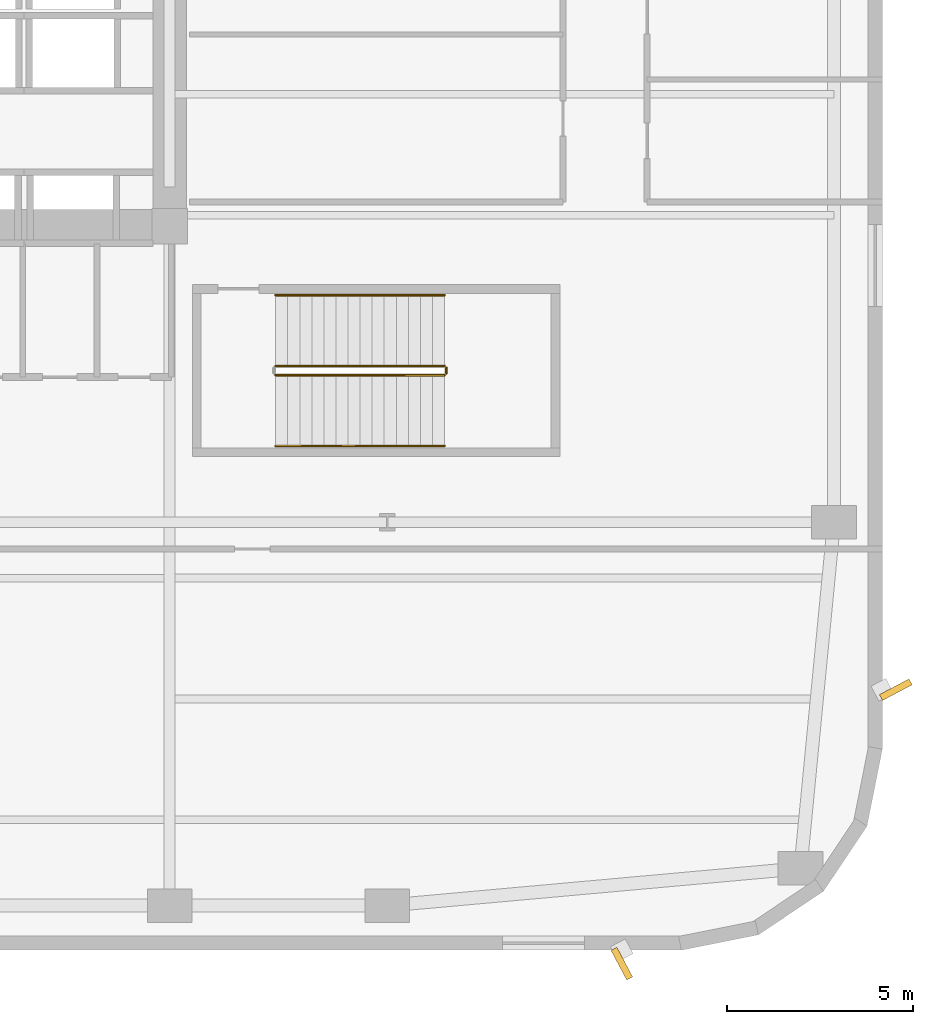
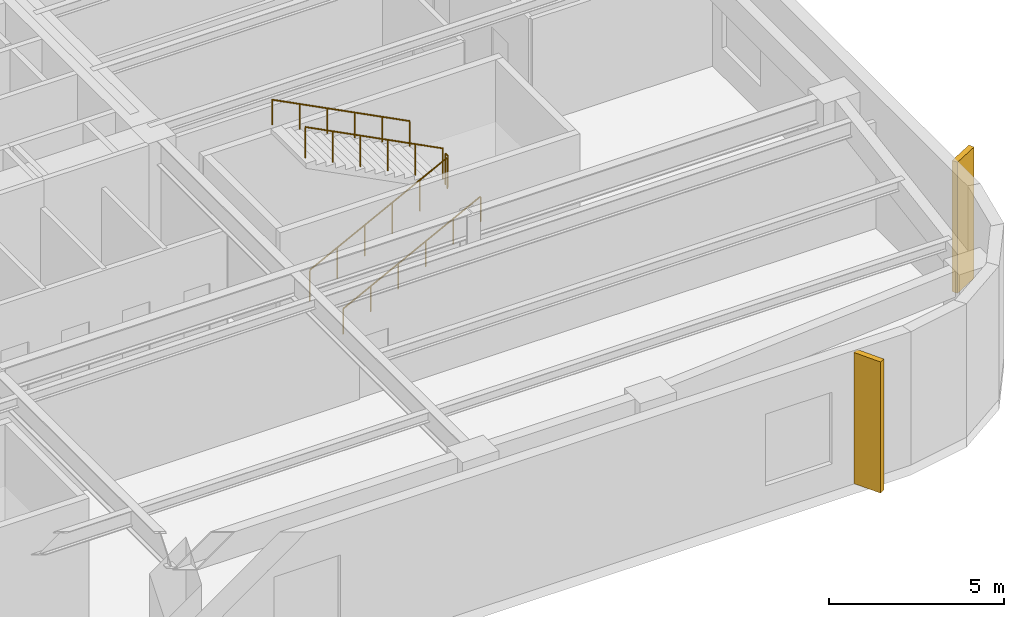
# One storey, part 20 of 21: 5 railings, 2 shading devices.
"""IFC4 building model written with IfcOpenShell, lengths in metres."""

import ifcopenshell
import ifcopenshell.guid

model = None  # the IFC model being written
_history = None  # IfcOwnerHistory: only IFC2X3 demands one
_inside = {}  # id of a spatial element -> (the spatial element, [elements in it])
_under = {}  # id of a project, library or spatial element -> (it, [spatial elements below it])
_declared = {}  # id of a project -> (the project, [libraries it declares])
_typed = {}  # id of a type object -> (the type object, [elements of that type])
_made_of = {}  # id of a material, layer set ... -> (it, [elements and type objects made of it])


def new_model(schema):
    """Start an empty IFC model of exactly this schema.

    Asked for "IFC4X3", IfcOpenShell would pick the latest addendum, in which some entities
    have other attributes; the version numbers below select the first issue.
    IFC2X3 requires an IfcOwnerHistory on every rooted entity: one is made here for all.
    """
    global model, _history
    if schema == "IFC4X3":
        model = ifcopenshell.file(schema_version=(4, 3, 0, 0))
    else:
        model = ifcopenshell.file(schema=schema)
    _inside.clear()
    _under.clear()
    _declared.clear()
    _typed.clear()
    _made_of.clear()
    _history = None
    if model.schema == "IFC2X3":
        org = make("IfcOrganization", Name="unknown")
        user = make(
            "IfcPersonAndOrganization",
            ThePerson=make("IfcPerson", FamilyName="unknown"),
            TheOrganization=org,
        )
        app = make(
            "IfcApplication",
            ApplicationDeveloper=org,
            Version="unknown",
            ApplicationFullName="unknown",
            ApplicationIdentifier="unknown",
        )
        _history = make(
            "IfcOwnerHistory",
            OwningUser=user,
            OwningApplication=app,
            ChangeAction="ADDED",
            CreationDate=0,
        )
    return model


def make(cls, **values):
    """One entity of the class cls with the attributes given. An attribute that is None is left unset."""
    return model.create_entity(
        cls, **{name: value for name, value in values.items() if value is not None}
    )


def rooted(cls, **values):
    """An entity with a GlobalId (a new one), such as an element, a storey or a relation."""
    return make(cls, GlobalId=ifcopenshell.guid.new(), OwnerHistory=_history, **values)


def si_unit(unit_type, name, prefix=None):
    """IfcSIUnit, for example si_unit("LENGTHUNIT", "METRE", prefix="MILLI")."""
    return make("IfcSIUnit", UnitType=unit_type, Prefix=prefix, Name=name)


def assignment(units):
    """IfcUnitAssignment: the units of a project."""
    return None if units is None else make("IfcUnitAssignment", Units=units)


def point(xyz):
    """IfcCartesianPoint."""
    return None if xyz is None else make("IfcCartesianPoint", Coordinates=xyz)


def direction(xyz):
    """IfcDirection."""
    return None if xyz is None else make("IfcDirection", DirectionRatios=xyz)


def frame(location, z_axis=None, x_axis=None):
    """IfcAxis2Placement3D, a coordinate frame: its origin and axes. An axis left out is left unset."""
    return make(
        "IfcAxis2Placement3D",
        Location=point(location),
        Axis=direction(z_axis),
        RefDirection=direction(x_axis),
    )


def frame_2d(location, x_axis=None):
    """IfcAxis2Placement2D, a coordinate frame in the plane: its origin and x axis."""
    return make(
        "IfcAxis2Placement2D", Location=point(location), RefDirection=direction(x_axis)
    )


def origin():
    """The frame at (0, 0, 0) with its axes left unset."""
    return frame((0.0, 0.0, 0.0))


def origin_2d():
    """The frame at (0, 0) in the plane with its x axis left unset."""
    return frame_2d((0.0, 0.0))


def place(relative_to, where):
    """IfcLocalPlacement: puts the frame where relative to a parent placement (None: the world)."""
    return make(
        "IfcLocalPlacement", PlacementRelTo=relative_to, RelativePlacement=where
    )


def context(
    kind, dimensions, precision=None, world=None, true_north=None, identifier=None
):
    """IfcGeometricRepresentationContext, for example the 3D "Model" context."""
    return make(
        "IfcGeometricRepresentationContext",
        ContextIdentifier=identifier,
        ContextType=kind,
        CoordinateSpaceDimension=dimensions,
        Precision=precision,
        WorldCoordinateSystem=world,
        TrueNorth=true_north,
    )


def subcontext(parent, identifier, kind, view, scale=None):
    """IfcGeometricRepresentationSubContext, for example "Body" below "Model"."""
    return make(
        "IfcGeometricRepresentationSubContext",
        ContextIdentifier=identifier,
        ContextType=kind,
        ParentContext=parent,
        TargetScale=scale,
        TargetView=view,
    )


def project(units=None, contexts=None):
    """IfcProject with its units and contexts."""
    return rooted(
        "IfcProject",
        Name="project",
        RepresentationContexts=contexts,
        UnitsInContext=assignment(units),
    )


def spatial(cls, under=None, at=None, **own):
    """A site, building, storey or space (cls), placed at a placement, below another one or the project."""
    s = rooted(cls, ObjectPlacement=at, **own)
    if under is not None:
        _under.setdefault(under.id(), (under, []))[1].append(s)
    return s


def profile(cls, at=None, kind="AREA", **sizes):
    """A parametric profile (cls). Its sizes go by their IFC names, for example OverallWidth=200.0."""
    return make(cls, ProfileType=kind, Position=at, **sizes)


def rectangle(**sizes):
    """IfcRectangleProfileDef."""
    return profile("IfcRectangleProfileDef", **sizes)


def circle(**sizes):
    """IfcCircleProfileDef."""
    return profile("IfcCircleProfileDef", **sizes)


def extrude(swept, where, along, depth):
    """IfcExtrudedAreaSolid: the profile swept, set in the frame where, extruded along a direction by depth."""
    return make(
        "IfcExtrudedAreaSolid",
        SweptArea=swept,
        Position=where,
        ExtrudedDirection=direction(along),
        Depth=depth,
    )


def shape(context_of_items, identifier, shape_type, items):
    """IfcShapeRepresentation: the items that make up one representation, for example the "Body"."""
    return make(
        "IfcShapeRepresentation",
        ContextOfItems=context_of_items,
        RepresentationIdentifier=identifier,
        RepresentationType=shape_type,
        Items=items,
    )


def material(Name=None, Category=None):
    """IfcMaterial."""
    return make("IfcMaterial", Name=Name, Category=Category)


def made_of(thing, what):
    """Note that an element or type object is made of a material, layer set ...; save() writes the relation."""
    if what is not None:
        _made_of.setdefault(what.id(), (what, []))[1].append(thing)
    return thing


def type_object(cls, material=None, **own):
    """A type object (cls), such as IfcWallType, which elements share."""
    return made_of(rooted(cls, **own), material)


def element(
    cls,
    number,
    at=None,
    inside=None,
    cuts=None,
    type_object=None,
    material=None,
    context=None,
    identifier="Body",
    shape_type=None,
    held_by="IfcProductDefinitionShape",
    body=None,
    shapes=None,
    **own,
):
    """One element of the class cls, such as IfcWall. Its Tag is "e" and its number.

    at: its placement. inside: the storey or other place that contains it. cuts: it is an
    opening in that element (IfcRelVoidsElement). A single representation is given by context,
    identifier, shape_type and body (its items); several are given by shapes. held_by: the class
    of the entity that holds the representations. save() writes the other relations.
    """
    e = rooted(cls, Tag="e%d" % number, ObjectPlacement=at, **own)
    if body is not None:
        shapes = [shape(context, identifier, shape_type, body)]
    if shapes is not None:
        e.Representation = make(held_by, Representations=shapes)
    if inside is not None:
        _inside.setdefault(inside.id(), (inside, []))[1].append(e)
    if cuts is not None:
        rooted(
            "IfcRelVoidsElement", RelatingBuildingElement=cuts, RelatedOpeningElement=e
        )
    if type_object is not None:
        _typed.setdefault(type_object.id(), (type_object, []))[1].append(e)
    return made_of(e, material)


def aggregate(whole, parts):
    """IfcRelAggregates: a whole, such as a stair, and the parts it consists of."""
    return rooted("IfcRelAggregates", RelatingObject=whole, RelatedObjects=parts)


def save(model, path):
    """Write the relations noted so far, then the file.

    IfcRelAggregates (storeys below a building ...), IfcRelContainedInSpatialStructure (elements
    in a storey), IfcRelDefinesByType, IfcRelAssociatesMaterial and IfcRelDeclares: one each for
    every whole, place, type object, material and project.
    """
    for whole, parts in _under.values():
        aggregate(whole, parts)
    for where, things in _inside.values():
        rooted(
            "IfcRelContainedInSpatialStructure",
            RelatedElements=things,
            RelatingStructure=where,
        )
    for kind, things in _typed.values():
        rooted("IfcRelDefinesByType", RelatedObjects=things, RelatingType=kind)
    for what, things in _made_of.values():
        rooted("IfcRelAssociatesMaterial", RelatedObjects=things, RelatingMaterial=what)
    for by, libraries in _declared.values():
        rooted("IfcRelDeclares", RelatingContext=by, RelatedDefinitions=libraries)
    model.write(path)


model = new_model("IFC4")

# Units and contexts
model_context = context("Model", 3, precision=1e-05, world=origin(), true_north=direction((0.0, 1.0)))
body_context = subcontext(model_context, "Body", "Model", "MODEL_VIEW")
ifc_project = project(units=[si_unit("LENGTHUNIT", "METRE"), si_unit("AREAUNIT", "SQUARE_METRE"), si_unit("VOLUMEUNIT", "CUBIC_METRE"), si_unit("PLANEANGLEUNIT", "RADIAN"), si_unit("MASSUNIT", "GRAM", prefix="KILO")], contexts=[model_context])

# Site, building, storey
site_placement = place(None, origin())
site = spatial("IfcSite", under=ifc_project, at=site_placement, CompositionType="ELEMENT")
building_placement = place(site_placement, origin())
building = spatial("IfcBuilding", under=site, at=building_placement, Name="Kolvaren Arena Tower", CompositionType="ELEMENT")
storey_placement = place(building_placement, frame((0.0, 0.0, 18.0)))
storey = spatial("IfcBuildingStorey", under=building, at=storey_placement, Name="L03", CompositionType="ELEMENT", Elevation=18.0)

# Railings
ifc_material_1 = material(Name="Painted galvanized steel", Category="steel")
railing_type_1 = type_object("IfcRailingType", Name="GUARD-ST-110", PredefinedType="GUARDRAIL", material=ifc_material_1)
railing_1_placement = place(storey_placement, frame((63.199951171875, 15.449951171875, 0.166748046875)))
element("IfcRailing", 1, at=railing_1_placement, inside=storey, type_object=railing_type_1, Name="L03 ST-A4 stair guard 1", PredefinedType="GUARDRAIL", context=body_context, shape_type="SweptSolid", body=[
    extrude(circle(Radius=0.02392578125, at=origin_2d()), frame((0.0, 0.0, 1.076171875), z_axis=(0.889257211316, 0.0, 0.457407490234), x_axis=(0.0, 1.0, 0.0)), (0.0, 0.0, 1.0), 5.10107421875),
    extrude(circle(Radius=0.02099609375, at=origin_2d()), origin(), (0.0, 0.0, 1.0), 1.052001953125),
    extrude(circle(Radius=0.02099609375, at=origin_2d()), frame((0.9072265625, 0.0, 0.466552734375)), (0.0, 0.0, 1.0), 1.052001953125),
    extrude(circle(Radius=0.02099609375, at=origin_2d()), frame((1.814453125, 0.0, 0.933349609375)), (0.0, 0.0, 1.0), 1.052001953125),
    extrude(circle(Radius=0.02099609375, at=origin_2d()), frame((2.7216796875, 0.0, 1.39990234375)), (0.0, 0.0, 1.0), 1.052001953125),
    extrude(circle(Radius=0.02099609375, at=origin_2d()), frame((3.62890625, 0.0, 1.86669921875)), (0.0, 0.0, 1.0), 1.052001953125),
    extrude(circle(Radius=0.02099609375, at=origin_2d()), frame((4.5361328125, 0.0, 2.333251953125)), (0.0, 0.0, 1.0), 1.052001953125),
])
railing_2_placement = place(storey_placement, frame((67.785888671875, 15.5, 2.5)))
element("IfcRailing", 2, at=railing_2_placement, inside=storey, type_object=railing_type_1, Name="L03 ST-A4 stair guard 2", PredefinedType="GUARDRAIL", context=body_context, shape_type="SweptSolid", body=[
    extrude(circle(Radius=0.02392578125, at=origin_2d()), frame((0.0, 0.0, 1.076171875), z_axis=(0.0, 1.0, 0.0), x_axis=(-1.0, 0.0, 0.0)), (0.0, 0.0, 1.0), 0.14990234375),
    extrude(circle(Radius=0.02099609375, at=origin_2d()), origin(), (0.0, 0.0, 1.0), 1.052001953125),
    extrude(circle(Radius=0.02099609375, at=origin_2d()), frame((0.0, 0.14990234375, 0.0)), (0.0, 0.0, 1.0), 1.052001953125),
])
railing_3_placement = place(storey_placement, frame((67.736083984375, 15.699951171875, 2.666748046875)))
element("IfcRailing", 3, at=railing_3_placement, inside=storey, type_object=railing_type_1, Name="L03 ST-A4 stair guard 3", PredefinedType="GUARDRAIL", context=body_context, shape_type="SweptSolid", body=[
    extrude(circle(Radius=0.02392578125, at=origin_2d()), frame((0.0, 0.0, 1.076171875), z_axis=(-0.889257211316, 0.0, 0.457407490234), x_axis=(0.0, -1.0, 0.0)), (0.0, 0.0, 1.0), 5.10107421875),
    extrude(circle(Radius=0.02099609375, at=origin_2d()), origin(), (0.0, 0.0, 1.0), 1.052001953125),
    extrude(circle(Radius=0.02099609375, at=origin_2d()), frame((-0.9072265625, 0.0, 0.466552734375)), (0.0, 0.0, 1.0), 1.052001953125),
    extrude(circle(Radius=0.02099609375, at=origin_2d()), frame((-1.814453125, 0.0, 0.933349609375)), (0.0, 0.0, 1.0), 1.052001953125),
    extrude(circle(Radius=0.02099609375, at=origin_2d()), frame((-2.7216796875, 0.0, 1.39990234375)), (0.0, 0.0, 1.0), 1.052001953125),
    extrude(circle(Radius=0.02099609375, at=origin_2d()), frame((-3.62890625, 0.0, 1.86669921875)), (0.0, 0.0, 1.0), 1.052001953125),
    extrude(circle(Radius=0.02099609375, at=origin_2d()), frame((-4.5361328125, 0.0, 2.333251953125)), (0.0, 0.0, 1.0), 1.052001953125),
])
ifc_material_2 = material(Name="Brushed stainless steel handrail", Category="steel")
railing_type_2 = type_object("IfcRailingType", Name="HRAIL-900", PredefinedType="HANDRAIL", material=ifc_material_2)
railing_4_placement = place(storey_placement, frame((63.199951171875, 13.550048828125, 0.166748046875)))
element("IfcRailing", 4, at=railing_4_placement, inside=storey, type_object=railing_type_2, Name="L03 ST-A4 stair handrail 1", PredefinedType="HANDRAIL", context=body_context, shape_type="SweptSolid", body=[
    extrude(circle(Radius=0.02392578125, at=origin_2d()), frame((0.0, 0.0, 0.8759765625), z_axis=(0.889257211316, 0.0, 0.457407490234), x_axis=(0.0, 1.0, 0.0)), (0.0, 0.0, 1.0), 5.10107421875),
    extrude(circle(Radius=0.02099609375, at=origin_2d()), origin(), (0.0, 0.0, 1.0), 0.851806640625),
    extrude(circle(Radius=0.02099609375, at=origin_2d()), frame((0.9072265625, 0.0, 0.466552734375)), (0.0, 0.0, 1.0), 0.851806640625),
    extrude(circle(Radius=0.02099609375, at=origin_2d()), frame((1.814453125, 0.0, 0.933349609375)), (0.0, 0.0, 1.0), 0.851806640625),
    extrude(circle(Radius=0.02099609375, at=origin_2d()), frame((2.7216796875, 0.0, 1.39990234375)), (0.0, 0.0, 1.0), 0.851806640625),
    extrude(circle(Radius=0.02099609375, at=origin_2d()), frame((3.62890625, 0.0, 1.86669921875)), (0.0, 0.0, 1.0), 0.851806640625),
    extrude(circle(Radius=0.02099609375, at=origin_2d()), frame((4.5361328125, 0.0, 2.333251953125)), (0.0, 0.0, 1.0), 0.851806640625),
])
railing_5_placement = place(storey_placement, frame((67.736083984375, 17.60009765625, 2.666748046875)))
element("IfcRailing", 5, at=railing_5_placement, inside=storey, type_object=railing_type_2, Name="L03 ST-A4 stair handrail 2", PredefinedType="HANDRAIL", context=body_context, shape_type="SweptSolid", body=[
    extrude(circle(Radius=0.02392578125, at=origin_2d()), frame((0.0, 0.0, 0.8759765625), z_axis=(-0.889257211316, 0.0, 0.457407490234), x_axis=(0.0, -1.0, 0.0)), (0.0, 0.0, 1.0), 5.10107421875),
    extrude(circle(Radius=0.02099609375, at=origin_2d()), origin(), (0.0, 0.0, 1.0), 0.851806640625),
    extrude(circle(Radius=0.02099609375, at=origin_2d()), frame((-0.9072265625, 0.0, 0.466552734375)), (0.0, 0.0, 1.0), 0.851806640625),
    extrude(circle(Radius=0.02099609375, at=origin_2d()), frame((-1.814453125, 0.0, 0.933349609375)), (0.0, 0.0, 1.0), 0.851806640625),
    extrude(circle(Radius=0.02099609375, at=origin_2d()), frame((-2.7216796875, 0.0, 1.39990234375)), (0.0, 0.0, 1.0), 0.851806640625),
    extrude(circle(Radius=0.02099609375, at=origin_2d()), frame((-3.62890625, 0.0, 1.86669921875)), (0.0, 0.0, 1.0), 0.851806640625),
    extrude(circle(Radius=0.02099609375, at=origin_2d()), frame((-4.5361328125, 0.0, 2.333251953125)), (0.0, 0.0, 1.0), 0.851806640625),
])

# Shading devices
ifc_material_3 = material(Name="Precast architectural concrete C50/60 rib fin", Category="concrete")
shading_device_type = type_object("IfcShadingDeviceType", Name="SHAD-FIN-28", PredefinedType="USERDEFINED", material=ifc_material_3)
for number, where, z_axis, x_axis, name in (
    (6, (79.860107421875, 7.0, 0.02001953125), (0.0, 0.0, 1.0), (0.882947592859, 0.469471562786, 0.0), "Arena Podium 28-Deg Precast Fin (L03)"),
    (7, (72.5, -0.360107421875, 0.02001953125), (0.0, 0.0, 1.0), (0.469471562786, -0.882947592859, 0.0), "Arena Podium 28-Deg Precast Fin (L03)"),
):
    element("IfcShadingDevice", number, at=place(storey_placement, frame(where, z_axis=z_axis, x_axis=x_axis)), inside=storey, type_object=shading_device_type, Name=name, ObjectType="FIN", PredefinedType="USERDEFINED", context=body_context, shape_type="SweptSolid", body=[
        extrude(rectangle(XDim=0.89990234375, YDim=0.179931640625, at=origin_2d()), origin(), (0.0, 0.0, 1.0), 4.570068359375),
    ])

save(model, "model.ifc")
